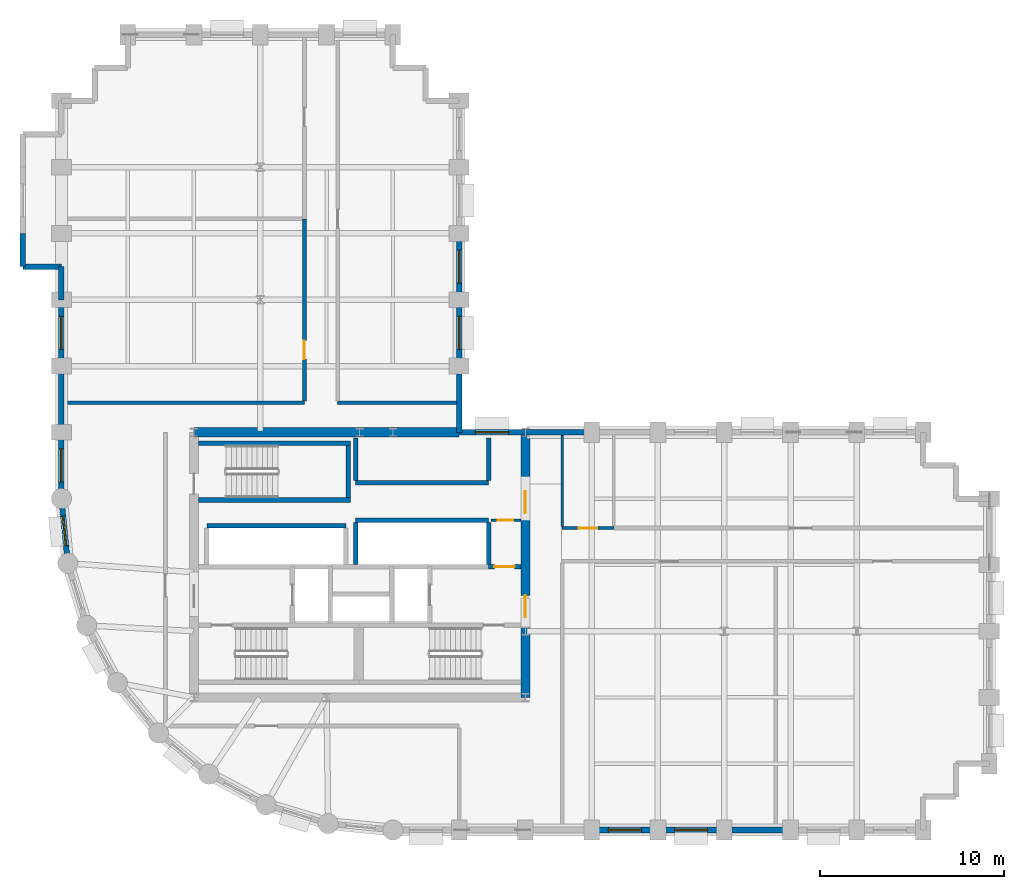
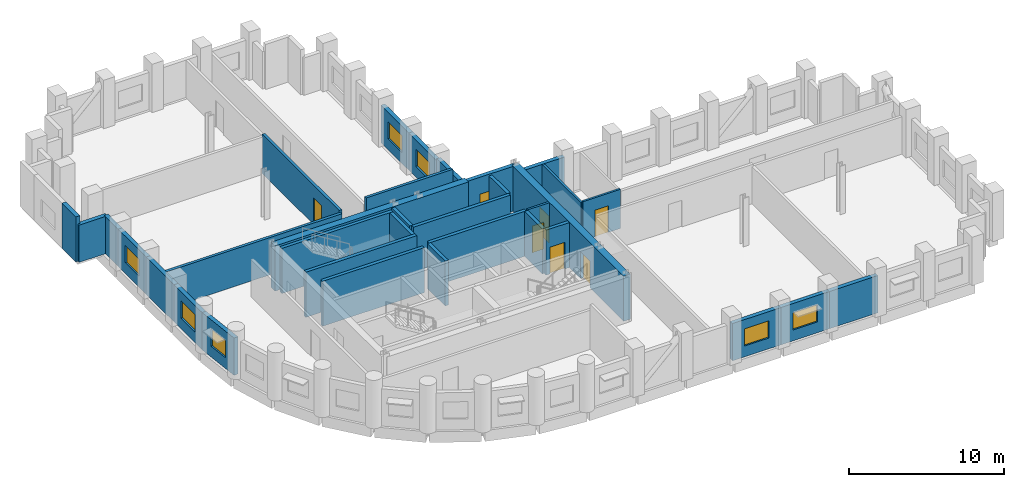
# One storey, part 4 of 8: 34 walls, 8 windows, 6 doors, 14 openings.
"""IFC4 building model written with IfcOpenShell, lengths in metres."""

import ifcopenshell
import ifcopenshell.guid

model = None  # the IFC model being written
_history = None  # IfcOwnerHistory: only IFC2X3 demands one
_inside = {}  # id of a spatial element -> (the spatial element, [elements in it])
_under = {}  # id of a project, library or spatial element -> (it, [spatial elements below it])
_declared = {}  # id of a project -> (the project, [libraries it declares])
_typed = {}  # id of a type object -> (the type object, [elements of that type])
_made_of = {}  # id of a material, layer set ... -> (it, [elements and type objects made of it])


def new_model(schema):
    """Start an empty IFC model of exactly this schema.

    Asked for "IFC4X3", IfcOpenShell would pick the latest addendum, in which some entities
    have other attributes; the version numbers below select the first issue.
    IFC2X3 requires an IfcOwnerHistory on every rooted entity: one is made here for all.
    """
    global model, _history
    if schema == "IFC4X3":
        model = ifcopenshell.file(schema_version=(4, 3, 0, 0))
    else:
        model = ifcopenshell.file(schema=schema)
    _inside.clear()
    _under.clear()
    _declared.clear()
    _typed.clear()
    _made_of.clear()
    _history = None
    if model.schema == "IFC2X3":
        org = make("IfcOrganization", Name="unknown")
        user = make(
            "IfcPersonAndOrganization",
            ThePerson=make("IfcPerson", FamilyName="unknown"),
            TheOrganization=org,
        )
        app = make(
            "IfcApplication",
            ApplicationDeveloper=org,
            Version="unknown",
            ApplicationFullName="unknown",
            ApplicationIdentifier="unknown",
        )
        _history = make(
            "IfcOwnerHistory",
            OwningUser=user,
            OwningApplication=app,
            ChangeAction="ADDED",
            CreationDate=0,
        )
    return model


def make(cls, **values):
    """One entity of the class cls with the attributes given. An attribute that is None is left unset."""
    return model.create_entity(
        cls, **{name: value for name, value in values.items() if value is not None}
    )


def rooted(cls, **values):
    """An entity with a GlobalId (a new one), such as an element, a storey or a relation."""
    return make(cls, GlobalId=ifcopenshell.guid.new(), OwnerHistory=_history, **values)


def si_unit(unit_type, name, prefix=None):
    """IfcSIUnit, for example si_unit("LENGTHUNIT", "METRE", prefix="MILLI")."""
    return make("IfcSIUnit", UnitType=unit_type, Prefix=prefix, Name=name)


def assignment(units):
    """IfcUnitAssignment: the units of a project."""
    return None if units is None else make("IfcUnitAssignment", Units=units)


def point(xyz):
    """IfcCartesianPoint."""
    return None if xyz is None else make("IfcCartesianPoint", Coordinates=xyz)


def direction(xyz):
    """IfcDirection."""
    return None if xyz is None else make("IfcDirection", DirectionRatios=xyz)


def frame(location, z_axis=None, x_axis=None):
    """IfcAxis2Placement3D, a coordinate frame: its origin and axes. An axis left out is left unset."""
    return make(
        "IfcAxis2Placement3D",
        Location=point(location),
        Axis=direction(z_axis),
        RefDirection=direction(x_axis),
    )


def frame_2d(location, x_axis=None):
    """IfcAxis2Placement2D, a coordinate frame in the plane: its origin and x axis."""
    return make(
        "IfcAxis2Placement2D", Location=point(location), RefDirection=direction(x_axis)
    )


def origin():
    """The frame at (0, 0, 0) with its axes left unset."""
    return frame((0.0, 0.0, 0.0))


def place(relative_to, where):
    """IfcLocalPlacement: puts the frame where relative to a parent placement (None: the world)."""
    return make(
        "IfcLocalPlacement", PlacementRelTo=relative_to, RelativePlacement=where
    )


def context(
    kind, dimensions, precision=None, world=None, true_north=None, identifier=None
):
    """IfcGeometricRepresentationContext, for example the 3D "Model" context."""
    return make(
        "IfcGeometricRepresentationContext",
        ContextIdentifier=identifier,
        ContextType=kind,
        CoordinateSpaceDimension=dimensions,
        Precision=precision,
        WorldCoordinateSystem=world,
        TrueNorth=true_north,
    )


def subcontext(parent, identifier, kind, view, scale=None):
    """IfcGeometricRepresentationSubContext, for example "Body" below "Model"."""
    return make(
        "IfcGeometricRepresentationSubContext",
        ContextIdentifier=identifier,
        ContextType=kind,
        ParentContext=parent,
        TargetScale=scale,
        TargetView=view,
    )


def project(units=None, contexts=None):
    """IfcProject with its units and contexts."""
    return rooted(
        "IfcProject",
        Name="project",
        RepresentationContexts=contexts,
        UnitsInContext=assignment(units),
    )


def spatial(cls, under=None, at=None, **own):
    """A site, building, storey or space (cls), placed at a placement, below another one or the project."""
    s = rooted(cls, ObjectPlacement=at, **own)
    if under is not None:
        _under.setdefault(under.id(), (under, []))[1].append(s)
    return s


def profile(cls, at=None, kind="AREA", **sizes):
    """A parametric profile (cls). Its sizes go by their IFC names, for example OverallWidth=200.0."""
    return make(cls, ProfileType=kind, Position=at, **sizes)


def rectangle(**sizes):
    """IfcRectangleProfileDef."""
    return profile("IfcRectangleProfileDef", **sizes)


def extrude(swept, where, along, depth):
    """IfcExtrudedAreaSolid: the profile swept, set in the frame where, extruded along a direction by depth."""
    return make(
        "IfcExtrudedAreaSolid",
        SweptArea=swept,
        Position=where,
        ExtrudedDirection=direction(along),
        Depth=depth,
    )


def shape(context_of_items, identifier, shape_type, items):
    """IfcShapeRepresentation: the items that make up one representation, for example the "Body"."""
    return make(
        "IfcShapeRepresentation",
        ContextOfItems=context_of_items,
        RepresentationIdentifier=identifier,
        RepresentationType=shape_type,
        Items=items,
    )


def material(Name=None, Category=None):
    """IfcMaterial."""
    return make("IfcMaterial", Name=Name, Category=Category)


def layer(
    of_material, thickness, ventilated=None, Name=None, Category=None, Priority=None
):
    """IfcMaterialLayer: one layer of a wall or slab, of a material (None: an air gap)."""
    return make(
        "IfcMaterialLayer",
        Material=of_material,
        LayerThickness=thickness,
        IsVentilated=ventilated,
        Name=Name,
        Category=Category,
        Priority=Priority,
    )


def layer_set(layers, Name=None):
    """IfcMaterialLayerSet."""
    return make("IfcMaterialLayerSet", MaterialLayers=layers, LayerSetName=Name)


def made_of(thing, what):
    """Note that an element or type object is made of a material, layer set ...; save() writes the relation."""
    if what is not None:
        _made_of.setdefault(what.id(), (what, []))[1].append(thing)
    return thing


def type_object(cls, material=None, **own):
    """A type object (cls), such as IfcWallType, which elements share."""
    return made_of(rooted(cls, **own), material)


def element(
    cls,
    number,
    at=None,
    inside=None,
    cuts=None,
    type_object=None,
    material=None,
    context=None,
    identifier="Body",
    shape_type=None,
    held_by="IfcProductDefinitionShape",
    body=None,
    shapes=None,
    **own,
):
    """One element of the class cls, such as IfcWall. Its Tag is "e" and its number.

    at: its placement. inside: the storey or other place that contains it. cuts: it is an
    opening in that element (IfcRelVoidsElement). A single representation is given by context,
    identifier, shape_type and body (its items); several are given by shapes. held_by: the class
    of the entity that holds the representations. save() writes the other relations.
    """
    e = rooted(cls, Tag="e%d" % number, ObjectPlacement=at, **own)
    if body is not None:
        shapes = [shape(context, identifier, shape_type, body)]
    if shapes is not None:
        e.Representation = make(held_by, Representations=shapes)
    if inside is not None:
        _inside.setdefault(inside.id(), (inside, []))[1].append(e)
    if cuts is not None:
        rooted(
            "IfcRelVoidsElement", RelatingBuildingElement=cuts, RelatedOpeningElement=e
        )
    if type_object is not None:
        _typed.setdefault(type_object.id(), (type_object, []))[1].append(e)
    return made_of(e, material)


def fill(opening, filler):
    """IfcRelFillsElement: the door or window that sits in an opening."""
    return rooted(
        "IfcRelFillsElement",
        RelatingOpeningElement=opening,
        RelatedBuildingElement=filler,
    )


def aggregate(whole, parts):
    """IfcRelAggregates: a whole, such as a stair, and the parts it consists of."""
    return rooted("IfcRelAggregates", RelatingObject=whole, RelatedObjects=parts)


def save(model, path):
    """Write the relations noted so far, then the file.

    IfcRelAggregates (storeys below a building ...), IfcRelContainedInSpatialStructure (elements
    in a storey), IfcRelDefinesByType, IfcRelAssociatesMaterial and IfcRelDeclares: one each for
    every whole, place, type object, material and project.
    """
    for whole, parts in _under.values():
        aggregate(whole, parts)
    for where, things in _inside.values():
        rooted(
            "IfcRelContainedInSpatialStructure",
            RelatedElements=things,
            RelatingStructure=where,
        )
    for kind, things in _typed.values():
        rooted("IfcRelDefinesByType", RelatedObjects=things, RelatingType=kind)
    for what, things in _made_of.values():
        rooted("IfcRelAssociatesMaterial", RelatedObjects=things, RelatingMaterial=what)
    for by, libraries in _declared.values():
        rooted("IfcRelDeclares", RelatingContext=by, RelatedDefinitions=libraries)
    model.write(path)


model = new_model("IFC4")

# Units and contexts
model_context = context("Model", 3, precision=1e-05, world=origin(), true_north=direction((0.0, 1.0)))
body_context = subcontext(model_context, "Body", "Model", "MODEL_VIEW")
ifc_project = project(units=[si_unit("LENGTHUNIT", "METRE"), si_unit("AREAUNIT", "SQUARE_METRE"), si_unit("VOLUMEUNIT", "CUBIC_METRE"), si_unit("PLANEANGLEUNIT", "RADIAN"), si_unit("MASSUNIT", "GRAM", prefix="KILO")], contexts=[model_context])

# Site, building, storey
site_placement = place(None, origin())
site = spatial("IfcSite", under=ifc_project, at=site_placement, CompositionType="ELEMENT")
building_placement = place(site_placement, origin())
building = spatial("IfcBuilding", under=site, at=building_placement, Name="Solnavia Interchange Tower", CompositionType="ELEMENT")
storey_placement = place(building_placement, frame((0.0, 0.0, 120.0)))
storey = spatial("IfcBuildingStorey", under=building, at=storey_placement, Name="L29", CompositionType="ELEMENT", Elevation=120.0)

# Wall, opening, window
ifc_material_1 = material(Name="Concrete C40/50", Category="concrete")
ifc_layer_1 = layer(ifc_material_1, 0.300048828125)
ifc_layer_set_1 = layer_set([ifc_layer_1], Name="Concrete C40/50")
wall_type_1 = type_object("IfcWallType", Name="Wall-ExtSpandrel-300", PredefinedType="STANDARD", material=ifc_layer_set_1)
wall_1_placement = place(storey_placement, frame((39.60009765625, 3.60009765625, 0.0), z_axis=(0.0, 0.0, 1.0), x_axis=(-1.0, 0.0, 0.0)))
wall_1 = element("IfcWall", 1, at=wall_1_placement, inside=storey, type_object=wall_type_1, Name="EXW-L29-04 Exterior precast spandrel wall", PredefinedType="STANDARD", context=body_context, shape_type="SweptSolid", body=[
    extrude(rectangle(XDim=3.60009765625, YDim=0.300048828125, at=frame_2d((1.800048828125, 0.0))), origin(), (0.0, 0.0, 1.0), 2.929931640625),
])
opening_1_placement = place(wall_1_placement, frame((0.89990234375, 0.0, 0.85009765625)))
opening_1 = element("IfcOpeningElement", 2, at=opening_1_placement, cuts=wall_1, Name="Opening WIN-02", PredefinedType="OPENING", context=body_context, shape_type="SweptSolid", body=[
    extrude(rectangle(XDim=1.800048828125, YDim=1.35009765625, at=frame_2d((0.89990234375, 0.675048828125))), frame((0.0, 0.16015625, 0.0), z_axis=(0.0, -1.0, 0.0), x_axis=(1.0, 0.0, 0.0)), (0.0, 0.0, 1.0), 0.320068359375),
])
ifc_material_2 = material(Name="Thermal-Break Aluminium & Low-E Glass", Category="aluminium")
window_type_1 = type_object("IfcWindowType", Name="Window-Ribbon-1800x1350", PartitioningType="SINGLE_PANEL", PredefinedType="WINDOW", material=ifc_material_2)
window_1_placement = place(opening_1_placement, origin())
window_1 = element("IfcWindow", 3, at=window_1_placement, inside=storey, type_object=window_type_1, Name="WIN-L29-04 Facade ribbon window", OverallHeight=1.35009765625, OverallWidth=1.800048828125, PartitioningType="SINGLE_PANEL", PredefinedType="WINDOW", context=body_context, shape_type="SweptSolid", body=[
    extrude(rectangle(XDim=1.800048828125, YDim=1.35009765625, at=frame_2d((0.89990234375, 0.675048828125))), frame((0.0, 0.030029296875, 0.0), z_axis=(0.0, -1.0, 0.0), x_axis=(1.0, 0.0, 0.0)), (0.0, 0.0, 1.0), 0.06005859375),
])
fill(opening_1, window_1)

wall_2_placement = place(storey_placement, frame((43.199951171875, 3.60009765625, 0.0), z_axis=(0.0, 0.0, 1.0), x_axis=(-1.0, 0.0, 0.0)))
wall_2 = element("IfcWall", 4, at=wall_2_placement, inside=storey, type_object=wall_type_1, Name="EXW-L29-05 Exterior precast spandrel wall", PredefinedType="STANDARD", context=body_context, shape_type="SweptSolid", body=[
    extrude(rectangle(XDim=3.599853515625, YDim=0.300048828125, at=frame_2d((1.7998046875, 0.0))), origin(), (0.0, 0.0, 1.0), 2.929931640625),
])
opening_2_placement = place(wall_2_placement, frame((0.89990234375, 0.0, 0.85009765625)))
opening_2 = element("IfcOpeningElement", 5, at=opening_2_placement, cuts=wall_2, Name="Opening WIN-02", PredefinedType="OPENING", context=body_context, shape_type="SweptSolid", body=[
    extrude(rectangle(XDim=1.800048828125, YDim=1.35009765625, at=frame_2d((0.89990234375, 0.675048828125))), frame((0.0, 0.16015625, 0.0), z_axis=(0.0, -1.0, 0.0), x_axis=(1.0, 0.0, 0.0)), (0.0, 0.0, 1.0), 0.320068359375),
])
window_2_placement = place(opening_2_placement, origin())
window_2 = element("IfcWindow", 6, at=window_2_placement, inside=storey, type_object=window_type_1, Name="WIN-L29-05 Facade ribbon window", OverallHeight=1.35009765625, OverallWidth=1.800048828125, PartitioningType="SINGLE_PANEL", PredefinedType="WINDOW", context=body_context, shape_type="SweptSolid", body=[
    extrude(rectangle(XDim=1.800048828125, YDim=1.35009765625, at=frame_2d((0.89990234375, 0.675048828125))), frame((0.0, 0.030029296875, 0.0), z_axis=(0.0, -1.0, 0.0), x_axis=(1.0, 0.0, 0.0)), (0.0, 0.0, 1.0), 0.06005859375),
])
fill(opening_2, window_2)

# Walls
for number, where, z_axis, x_axis, name in (
    (7, (46.800048828125, 3.60009765625, 0.0), (0.0, 0.0, 1.0), (-1.0, 0.0, 0.0), "EXW-L29-06 Exterior precast spandrel wall"),
    (8, (32.39990234375, 25.199951171875, 0.0), (0.0, 0.0, 1.0), (1.0, 0.0, 0.0), "EXW-L29-26 Exterior precast spandrel wall"),
):
    element("IfcWall", number, at=place(storey_placement, frame(where, z_axis=z_axis, x_axis=x_axis)), inside=storey, type_object=wall_type_1, Name=name, PredefinedType="STANDARD", context=body_context, shape_type="SweptSolid", body=[
        extrude(rectangle(XDim=3.60009765625, YDim=0.300048828125, at=frame_2d((1.800048828125, 0.0))), origin(), (0.0, 0.0, 1.0), 2.929931640625),
    ])

# Wall, opening, window
wall_3_placement = place(storey_placement, frame((28.800048828125, 25.199951171875, 0.0), z_axis=(0.0, 0.0, 1.0), x_axis=(1.0, 0.0, 0.0)))
wall_3 = element("IfcWall", 9, at=wall_3_placement, inside=storey, type_object=wall_type_1, Name="EXW-L29-27 Exterior precast spandrel wall", PredefinedType="STANDARD", context=body_context, shape_type="SweptSolid", body=[
    extrude(rectangle(XDim=3.599853515625, YDim=0.300048828125, at=frame_2d((1.7998046875, 0.0))), origin(), (0.0, 0.0, 1.0), 3.534912109375),
])
opening_3_placement = place(wall_3_placement, frame((0.884033203125, 0.0, 0.85009765625)))
opening_3 = element("IfcOpeningElement", 10, at=opening_3_placement, cuts=wall_3, Name="Opening WIN-02", PredefinedType="OPENING", context=body_context, shape_type="SweptSolid", body=[
    extrude(rectangle(XDim=1.800048828125, YDim=1.35009765625, at=frame_2d((0.89990234375, 0.675048828125))), frame((0.0, 0.16015625, 0.0), z_axis=(0.0, -1.0, 0.0), x_axis=(1.0, 0.0, 0.0)), (0.0, 0.0, 1.0), 0.320068359375),
])
window_3_placement = place(opening_3_placement, origin())
window_3 = element("IfcWindow", 11, at=window_3_placement, inside=storey, type_object=window_type_1, Name="WIN-L29-27 Facade ribbon window", OverallHeight=1.35009765625, OverallWidth=1.800048828125, PartitioningType="SINGLE_PANEL", PredefinedType="WINDOW", context=body_context, shape_type="SweptSolid", body=[
    extrude(rectangle(XDim=1.800048828125, YDim=1.35009765625, at=frame_2d((0.89990234375, 0.675048828125))), frame((0.0, 0.030029296875, 0.0), z_axis=(0.0, -1.0, 0.0), x_axis=(1.0, 0.0, 0.0)), (0.0, 0.0, 1.0), 0.06005859375),
])
fill(opening_3, window_3)

# Wall
wall_4_placement = place(storey_placement, frame((28.800048828125, 28.800048828125, 0.0), z_axis=(0.0, 0.0, 1.0), x_axis=(0.0, -1.0, 0.0)))
element("IfcWall", 12, at=wall_4_placement, inside=storey, type_object=wall_type_1, Name="EXW-L29-28 Exterior precast spandrel wall", PredefinedType="STANDARD", context=body_context, shape_type="SweptSolid", body=[
    extrude(rectangle(XDim=3.60009765625, YDim=0.300048828125, at=frame_2d((1.800048828125, 0.0))), origin(), (0.0, 0.0, 1.0), 3.090087890625),
])

# Wall, opening, window
wall_5_placement = place(storey_placement, frame((28.800048828125, 32.39990234375, 0.0), z_axis=(0.0, 0.0, 1.0), x_axis=(0.0, -1.0, 0.0)))
wall_5 = element("IfcWall", 13, at=wall_5_placement, inside=storey, type_object=wall_type_1, Name="EXW-L29-29 Exterior precast spandrel wall", PredefinedType="STANDARD", context=body_context, shape_type="SweptSolid", body=[
    extrude(rectangle(XDim=3.599853515625, YDim=0.300048828125, at=frame_2d((1.7998046875, 0.0))), origin(), (0.0, 0.0, 1.0), 2.929931640625),
])
opening_4_placement = place(wall_5_placement, frame((0.89990234375, 0.0, 0.85009765625)))
opening_4 = element("IfcOpeningElement", 14, at=opening_4_placement, cuts=wall_5, Name="Opening WIN-02", PredefinedType="OPENING", context=body_context, shape_type="SweptSolid", body=[
    extrude(rectangle(XDim=1.800048828125, YDim=1.35009765625, at=frame_2d((0.89990234375, 0.675048828125))), frame((0.0, 0.16015625, 0.0), z_axis=(0.0, -1.0, 0.0), x_axis=(1.0, 0.0, 0.0)), (0.0, 0.0, 1.0), 0.320068359375),
])
window_4_placement = place(opening_4_placement, origin())
window_4 = element("IfcWindow", 15, at=window_4_placement, inside=storey, type_object=window_type_1, Name="WIN-L29-29 Facade ribbon window", OverallHeight=1.35009765625, OverallWidth=1.800048828125, PartitioningType="SINGLE_PANEL", PredefinedType="WINDOW", context=body_context, shape_type="SweptSolid", body=[
    extrude(rectangle(XDim=1.800048828125, YDim=1.35009765625, at=frame_2d((0.89990234375, 0.675048828125))), frame((0.0, 0.030029296875, 0.0), z_axis=(0.0, -1.0, 0.0), x_axis=(1.0, 0.0, 0.0)), (0.0, 0.0, 1.0), 0.06005859375),
])
fill(opening_4, window_4)

wall_6_placement = place(storey_placement, frame((28.800048828125, 36.0, 0.0), z_axis=(0.0, 0.0, 1.0), x_axis=(0.0, -1.0, 0.0)))
wall_6 = element("IfcWall", 16, at=wall_6_placement, inside=storey, type_object=wall_type_1, Name="EXW-L29-30 Exterior precast spandrel wall", PredefinedType="STANDARD", context=body_context, shape_type="SweptSolid", body=[
    extrude(rectangle(XDim=3.60009765625, YDim=0.300048828125, at=frame_2d((1.800048828125, 0.0))), origin(), (0.0, 0.0, 1.0), 2.929931640625),
])
opening_5_placement = place(wall_6_placement, frame((0.89990234375, 0.0, 0.85009765625)))
opening_5 = element("IfcOpeningElement", 17, at=opening_5_placement, cuts=wall_6, Name="Opening WIN-02", PredefinedType="OPENING", context=body_context, shape_type="SweptSolid", body=[
    extrude(rectangle(XDim=1.800048828125, YDim=1.35009765625, at=frame_2d((0.89990234375, 0.675048828125))), frame((0.0, 0.16015625, 0.0), z_axis=(0.0, -1.0, 0.0), x_axis=(1.0, 0.0, 0.0)), (0.0, 0.0, 1.0), 0.320068359375),
])
window_5_placement = place(opening_5_placement, origin())
window_5 = element("IfcWindow", 18, at=window_5_placement, inside=storey, type_object=window_type_1, Name="WIN-L29-30 Facade ribbon window", OverallHeight=1.35009765625, OverallWidth=1.800048828125, PartitioningType="SINGLE_PANEL", PredefinedType="WINDOW", context=body_context, shape_type="SweptSolid", body=[
    extrude(rectangle(XDim=1.800048828125, YDim=1.35009765625, at=frame_2d((0.89990234375, 0.675048828125))), frame((0.0, 0.030029296875, 0.0), z_axis=(0.0, -1.0, 0.0), x_axis=(1.0, 0.0, 0.0)), (0.0, 0.0, 1.0), 0.06005859375),
])
fill(opening_5, window_5)

# Walls
wall_7_placement = place(storey_placement, frame((5.10009765625, 34.199951171875, 0.0), z_axis=(0.0, 0.0, 1.0), x_axis=(0.0, 1.0, 0.0)))
element("IfcWall", 19, at=wall_7_placement, inside=storey, type_object=wall_type_1, Name="EXW-L29-49 Exterior precast spandrel wall", PredefinedType="STANDARD", context=body_context, shape_type="SweptSolid", body=[
    extrude(rectangle(XDim=1.800048828125, YDim=0.300048828125, at=frame_2d((0.89990234375, 0.0))), origin(), (0.0, 0.0, 1.0), 3.534912109375),
])
wall_8_placement = place(storey_placement, frame((5.10009765625, 34.199951171875, 0.0), z_axis=(0.0, 0.0, 1.0), x_axis=(1.0, 0.0, 0.0)))
element("IfcWall", 20, at=wall_8_placement, inside=storey, type_object=wall_type_1, Name="EXW-L29-50 Exterior precast spandrel wall", PredefinedType="STANDARD", context=body_context, shape_type="SweptSolid", body=[
    extrude(rectangle(XDim=2.099853515625, YDim=0.300048828125, at=frame_2d((1.0498046875, 0.0))), origin(), (0.0, 0.0, 1.0), 2.929931640625),
])
wall_9_placement = place(storey_placement, frame((7.199951171875, 32.39990234375, 0.0), z_axis=(0.0, 0.0, 1.0), x_axis=(0.0, 1.0, 0.0)))
element("IfcWall", 21, at=wall_9_placement, inside=storey, type_object=wall_type_1, Name="EXW-L29-51 Exterior precast spandrel wall", PredefinedType="STANDARD", context=body_context, shape_type="SweptSolid", body=[
    extrude(rectangle(XDim=1.800048828125, YDim=0.300048828125, at=frame_2d((0.89990234375, 0.0))), origin(), (0.0, 0.0, 1.0), 2.929931640625),
])

# Wall, opening, window
wall_10_placement = place(storey_placement, frame((7.199951171875, 28.800048828125, 0.0), z_axis=(0.0, 0.0, 1.0), x_axis=(0.0, 1.0, 0.0)))
wall_10 = element("IfcWall", 22, at=wall_10_placement, inside=storey, type_object=wall_type_1, Name="EXW-L29-52 Exterior precast spandrel wall", PredefinedType="STANDARD", context=body_context, shape_type="SweptSolid", body=[
    extrude(rectangle(XDim=3.599853515625, YDim=0.300048828125, at=frame_2d((1.7998046875, 0.0))), origin(), (0.0, 0.0, 1.0), 2.929931640625),
])
opening_6_placement = place(wall_10_placement, frame((0.89990234375, 0.0, 0.85009765625)))
opening_6 = element("IfcOpeningElement", 23, at=opening_6_placement, cuts=wall_10, Name="Opening WIN-02", PredefinedType="OPENING", context=body_context, shape_type="SweptSolid", body=[
    extrude(rectangle(XDim=1.800048828125, YDim=1.35009765625, at=frame_2d((0.89990234375, 0.675048828125))), frame((0.0, 0.16015625, 0.0), z_axis=(0.0, -1.0, 0.0), x_axis=(1.0, 0.0, 0.0)), (0.0, 0.0, 1.0), 0.320068359375),
])
window_6_placement = place(opening_6_placement, origin())
window_6 = element("IfcWindow", 24, at=window_6_placement, inside=storey, type_object=window_type_1, Name="WIN-L29-52 Facade ribbon window", OverallHeight=1.35009765625, OverallWidth=1.800048828125, PartitioningType="SINGLE_PANEL", PredefinedType="WINDOW", context=body_context, shape_type="SweptSolid", body=[
    extrude(rectangle(XDim=1.800048828125, YDim=1.35009765625, at=frame_2d((0.89990234375, 0.675048828125))), frame((0.0, 0.030029296875, 0.0), z_axis=(0.0, -1.0, 0.0), x_axis=(1.0, 0.0, 0.0)), (0.0, 0.0, 1.0), 0.06005859375),
])
fill(opening_6, window_6)

# Wall
wall_11_placement = place(storey_placement, frame((7.199951171875, 25.199951171875, 0.0), z_axis=(0.0, 0.0, 1.0), x_axis=(0.0, 1.0, 0.0)))
element("IfcWall", 25, at=wall_11_placement, inside=storey, type_object=wall_type_1, Name="EXW-L29-53 Exterior precast spandrel wall", PredefinedType="STANDARD", context=body_context, shape_type="SweptSolid", body=[
    extrude(rectangle(XDim=3.60009765625, YDim=0.300048828125, at=frame_2d((1.800048828125, 0.0))), origin(), (0.0, 0.0, 1.0), 2.929931640625),
])

# Wall, opening, window
wall_12_placement = place(storey_placement, frame((7.199951171875, 21.60009765625, 0.0), z_axis=(0.0, 0.0, 1.0), x_axis=(0.0, 1.0, 0.0)))
wall_12 = element("IfcWall", 26, at=wall_12_placement, inside=storey, type_object=wall_type_1, Name="EXW-L29-54 Exterior precast spandrel wall", PredefinedType="STANDARD", context=body_context, shape_type="SweptSolid", body=[
    extrude(rectangle(XDim=3.599853515625, YDim=0.300048828125, at=frame_2d((1.7998046875, 0.0))), origin(), (0.0, 0.0, 1.0), 2.929931640625),
])
opening_7_placement = place(wall_12_placement, frame((0.89990234375, 0.0, 0.85009765625)))
opening_7 = element("IfcOpeningElement", 27, at=opening_7_placement, cuts=wall_12, Name="Opening WIN-02", PredefinedType="OPENING", context=body_context, shape_type="SweptSolid", body=[
    extrude(rectangle(XDim=1.800048828125, YDim=1.35009765625, at=frame_2d((0.89990234375, 0.675048828125))), frame((0.0, 0.16015625, 0.0), z_axis=(0.0, -1.0, 0.0), x_axis=(1.0, 0.0, 0.0)), (0.0, 0.0, 1.0), 0.320068359375),
])
window_7_placement = place(opening_7_placement, origin())
window_7 = element("IfcWindow", 28, at=window_7_placement, inside=storey, type_object=window_type_1, Name="WIN-L29-54 Facade ribbon window", OverallHeight=1.35009765625, OverallWidth=1.800048828125, PartitioningType="SINGLE_PANEL", PredefinedType="WINDOW", context=body_context, shape_type="SweptSolid", body=[
    extrude(rectangle(XDim=1.800048828125, YDim=1.35009765625, at=frame_2d((0.89990234375, 0.675048828125))), frame((0.0, 0.030029296875, 0.0), z_axis=(0.0, -1.0, 0.0), x_axis=(1.0, 0.0, 0.0)), (0.0, 0.0, 1.0), 0.06005859375),
])
fill(opening_7, window_7)

wall_13_placement = place(storey_placement, frame((7.5458984375, 18.087890625, 0.0), z_axis=(0.0, 0.0, 1.0), x_axis=(-0.09802417461, 0.995184033831, 0.0)))
wall_13 = element("IfcWall", 29, at=wall_13_placement, inside=storey, type_object=wall_type_1, Name="EXW-L29-55 Exterior precast spandrel wall", PredefinedType="STANDARD", context=body_context, shape_type="SweptSolid", body=[
    extrude(rectangle(XDim=3.529296875, YDim=0.300048828125, at=frame_2d((1.7646484375, 0.0))), origin(), (0.0, 0.0, 1.0), 2.929931640625),
])
opening_8_placement = place(wall_13_placement, frame((0.965087890625, 0.0, 0.85009765625)))
opening_8 = element("IfcOpeningElement", 30, at=opening_8_placement, cuts=wall_13, Name="Opening WIN-04", PredefinedType="OPENING", context=body_context, shape_type="SweptSolid", body=[
    extrude(rectangle(XDim=1.60009765625, YDim=1.35009765625, at=frame_2d((0.800048828125, 0.675048828125))), frame((0.0, 0.16015625, 0.0), z_axis=(0.0, -1.0, 0.0), x_axis=(1.0, 0.0, 0.0)), (0.0, 0.0, 1.0), 0.320068359375),
])
window_type_2 = type_object("IfcWindowType", Name="Window-Drum-1600x1350", PartitioningType="SINGLE_PANEL", PredefinedType="WINDOW", material=ifc_material_2)
window_8_placement = place(opening_8_placement, origin())
window_8 = element("IfcWindow", 31, at=window_8_placement, inside=storey, type_object=window_type_2, Name="WIN-L29-55 Facade ribbon window", OverallHeight=1.35009765625, OverallWidth=1.60009765625, PartitioningType="SINGLE_PANEL", PredefinedType="WINDOW", context=body_context, shape_type="SweptSolid", body=[
    extrude(rectangle(XDim=1.60009765625, YDim=1.35009765625, at=frame_2d((0.800048828125, 0.675048828125))), frame((0.0, 0.030029296875, 0.0), z_axis=(0.0, -1.0, 0.0), x_axis=(1.0, 0.0, 0.0)), (0.0, 0.0, 1.0), 0.06005859375),
])
fill(opening_8, window_8)

# Wall, opening, door
ifc_material_3 = material(Name="Gypsum Plasterboard & Steel Stud", Category="steel")
ifc_layer_2 = layer(ifc_material_3, 0.14990234375)
ifc_layer_set_2 = layer_set([ifc_layer_2], Name="Gypsum Plasterboard & Steel Stud")
wall_type_2 = type_object("IfcWallType", Name="Wall-Partition-150", PredefinedType="PARTITIONING", material=ifc_layer_set_2)
wall_14_placement = place(storey_placement, frame((30.52001953125, 20.419921875, 0.0), z_axis=(0.0, 0.0, 1.0), x_axis=(1.0, 0.0, 0.0)))
wall_14 = element("IfcWall", 32, at=wall_14_placement, inside=storey, type_object=wall_type_2, Name="CSW-L29-SE-N Core shaft wall", PredefinedType="PARTITIONING", context=body_context, shape_type="SweptSolid", body=[
    extrude(rectangle(XDim=1.6298828125, YDim=0.14990234375, at=frame_2d((0.81494140625, 0.0))), origin(), (0.0, 0.0, 1.0), 3.534912109375),
])
opening_9_placement = place(wall_14_placement, frame((0.3798828125, 0.0, 0.0)))
opening_9 = element("IfcOpeningElement", 33, at=opening_9_placement, cuts=wall_14, Name="Opening DR-10", PredefinedType="OPENING", context=body_context, shape_type="SweptSolid", body=[
    extrude(rectangle(XDim=0.85009765625, YDim=2.10009765625, at=frame_2d((0.425048828125, 1.050048828125))), frame((0.0, 0.0849609375, 0.0), z_axis=(0.0, -1.0, 0.0), x_axis=(1.0, 0.0, 0.0)), (0.0, 0.0, 1.0), 0.169921875),
])
ifc_material_4 = material(Name="Moisture-Resistant Timber Door", Category="wood")
door_type_1 = type_object("IfcDoorType", Name="Door-Bathroom-850x2100", OperationType="SINGLE_SWING_RIGHT", PredefinedType="DOOR", material=ifc_material_4)
door_1_placement = place(opening_9_placement, origin())
door_1 = element("IfcDoor", 34, at=door_1_placement, inside=storey, type_object=door_type_1, Name="DR-L29-CSE1 Core fire door", OperationType="SINGLE_SWING_LEFT", OverallHeight=2.10009765625, OverallWidth=0.85009765625, PredefinedType="DOOR", context=body_context, shape_type="SweptSolid", body=[
    extrude(rectangle(XDim=0.85009765625, YDim=2.10009765625, at=frame_2d((0.425048828125, 1.050048828125))), frame((0.0, 0.02490234375, 0.0), z_axis=(0.0, -1.0, 0.0), x_axis=(1.0, 0.0, 0.0)), (0.0, 0.0, 1.0), 0.050048828125),
])
fill(opening_9, door_1)

# Walls
ifc_layer_3 = layer(ifc_material_1, 0.199951171875)
ifc_layer_set_3 = layer_set([ifc_layer_3], Name="Concrete C40/50")
wall_type_3 = type_object("IfcWallType", Name="Wall-PlantFire-200", PredefinedType="PARTITIONING", material=ifc_layer_set_3)
wall_15_placement = place(storey_placement, frame((7.35400390625, 26.800048828125, 0.0), z_axis=(0.0, 0.0, 1.0), x_axis=(1.0, 0.0, 0.0)))
element("IfcWall", 35, at=wall_15_placement, inside=storey, type_object=wall_type_3, Name="PTW-L29-13 Interior partition wall", PredefinedType="PARTITIONING", context=body_context, shape_type="SweptSolid", body=[
    extrude(rectangle(XDim=13.0458984375, YDim=0.199951171875, at=frame_2d((6.52294921875, 0.0))), origin(), (0.0, 0.0, 1.0), 2.929931640625),
])
wall_16_placement = place(storey_placement, frame((22.199951171875, 26.800048828125, 0.0), z_axis=(0.0, 0.0, 1.0), x_axis=(1.0, 0.0, 0.0)))
element("IfcWall", 36, at=wall_16_placement, inside=storey, type_object=wall_type_3, Name="PTW-L29-14 Interior partition wall", PredefinedType="PARTITIONING", context=body_context, shape_type="SweptSolid", body=[
    extrude(rectangle(XDim=6.446044921875, YDim=0.199951171875, at=frame_2d((3.22314453125, 0.0))), origin(), (0.0, 0.0, 1.0), 3.534912109375),
])

# Wall, opening, door
wall_17_placement = place(storey_placement, frame((20.39990234375, 26.904052734375, 0.0), z_axis=(0.0, 0.0, 1.0), x_axis=(0.0, 1.0, 0.0)))
wall_17 = element("IfcWall", 37, at=wall_17_placement, inside=storey, type_object=wall_type_3, Name="PTW-L29-15 Interior partition wall", PredefinedType="PARTITIONING", context=body_context, shape_type="SweptSolid", body=[
    extrude(rectangle(XDim=9.89599609375, YDim=0.199951171875, at=frame_2d((4.947998046875, 0.0))), origin(), (0.0, 0.0, 1.0), 3.090087890625),
])
opening_10_placement = place(wall_17_placement, frame((2.27587890625, 0.0, 0.0)))
opening_10 = element("IfcOpeningElement", 38, at=opening_10_placement, cuts=wall_17, Name="Opening DR-04", PredefinedType="OPENING", context=body_context, shape_type="SweptSolid", body=[
    extrude(rectangle(XDim=1.0, YDim=2.10009765625, at=frame_2d((0.5, 1.050048828125))), frame((0.0, 0.10986328125, 0.0), z_axis=(0.0, -1.0, 0.0), x_axis=(1.0, 0.0, 0.0)), (0.0, 0.0, 1.0), 0.219970703125),
])
ifc_material_5 = material(Name="Steel Fire-Rated Plant Door", Category="steel")
door_type_2 = type_object("IfcDoorType", Name="Door-PlantFire-1000x2100", OperationType="SINGLE_SWING_LEFT", PredefinedType="DOOR", material=ifc_material_5)
door_2_placement = place(opening_10_placement, origin())
door_2 = element("IfcDoor", 39, at=door_2_placement, inside=storey, type_object=door_type_2, Name="DR-L29-07 Interior room door", OperationType="SINGLE_SWING_LEFT", OverallHeight=2.10009765625, OverallWidth=1.0, PredefinedType="DOOR", context=body_context, shape_type="SweptSolid", body=[
    extrude(rectangle(XDim=1.0, YDim=2.10009765625, at=frame_2d((0.5, 1.050048828125))), frame((0.0, 0.02490234375, 0.0), z_axis=(0.0, -1.0, 0.0), x_axis=(1.0, 0.0, 0.0)), (0.0, 0.0, 1.0), 0.050048828125),
])
fill(opening_10, door_2)

# Walls
ifc_layer_4 = layer(ifc_material_1, 0.25)
ifc_layer_set_4 = layer_set([ifc_layer_4], Name="Concrete C40/50")
wall_type_4 = type_object("IfcWallType", Name="Wall-ShaftCore-250", PredefinedType="SHEAR", material=ifc_layer_set_4)
for number, where, z_axis, x_axis, name in (
    (40, (14.64990234375, 21.52490234375, 0.0), (0.0, 0.0, 1.0), (1.0, 0.0, 0.0), "SHW-L29-ST3S Core shear wall"),
    (41, (14.64990234375, 24.614990234375, 0.0), (0.0, 0.0, 1.0), (1.0, 0.0, 0.0), "SHW-L29-ST3N Core shear wall"),
):
    element("IfcWall", number, at=place(storey_placement, frame(where, z_axis=z_axis, x_axis=x_axis)), inside=storey, type_object=wall_type_4, Name=name, PredefinedType="SHEAR", context=body_context, shape_type="SweptSolid", body=[
        extrude(rectangle(XDim=8.25, YDim=0.25, at=frame_2d((4.125, 0.0))), origin(), (0.0, 0.0, 1.0), 3.550048828125),
    ])
wall_18_placement = place(storey_placement, frame((22.77490234375, 21.64990234375, 0.0), z_axis=(0.0, 0.0, 1.0), x_axis=(0.0, 1.0, 0.0)))
element("IfcWall", 42, at=wall_18_placement, inside=storey, type_object=wall_type_4, Name="SHW-L29-ST3E Core shear wall", PredefinedType="SHEAR", context=body_context, shape_type="SweptSolid", body=[
    extrude(rectangle(XDim=2.840087890625, YDim=0.25, at=frame_2d((1.419921875, 0.0))), origin(), (0.0, 0.0, 1.0), 3.550048828125),
])

# Wall, opening, door
ifc_layer_5 = layer(ifc_material_1, 0.25)
ifc_layer_set_5 = layer_set([ifc_layer_5], Name="Concrete C40/50")
wall_type_5 = type_object("IfcWallType", Name="Wall-ShaftPart-250", PredefinedType="PARTITIONING", material=ifc_layer_set_5)
wall_19_placement = place(storey_placement, frame((30.39990234375, 17.89990234375, 0.0), z_axis=(0.0, 0.0, 1.0), x_axis=(1.0, 0.0, 0.0)))
wall_19 = element("IfcWall", 43, at=wall_19_placement, inside=storey, type_object=wall_type_5, Name="SHW-L29-FFLE-N2 Core shaft wall", PredefinedType="PARTITIONING", context=body_context, shape_type="SweptSolid", body=[
    extrude(rectangle(XDim=1.75, YDim=0.25, at=frame_2d((0.875, 0.0))), origin(), (0.0, 0.0, 1.0), 3.534912109375),
])
opening_11_placement = place(wall_19_placement, frame((0.320068359375, 0.0, 0.0)))
opening_11 = element("IfcOpeningElement", 44, at=opening_11_placement, cuts=wall_19, Name="Opening DR-01", PredefinedType="OPENING", context=body_context, shape_type="SweptSolid", body=[
    extrude(rectangle(XDim=1.10009765625, YDim=2.10009765625, at=frame_2d((0.550048828125, 1.050048828125))), frame((0.0, 0.135009765625, 0.0), z_axis=(0.0, -1.0, 0.0), x_axis=(1.0, 0.0, 0.0)), (0.0, 0.0, 1.0), 0.27001953125),
])
ifc_material_6 = material(Name="Steel Fire-Rated Leaf & Frame", Category="steel")
door_type_3 = type_object("IfcDoorType", Name="Door-StairFire-1100x2100", OperationType="SINGLE_SWING_LEFT", PredefinedType="DOOR", material=ifc_material_6)
door_3_placement = place(opening_11_placement, origin())
door_3 = element("IfcDoor", 45, at=door_3_placement, inside=storey, type_object=door_type_3, Name="DR-L29-LLC Core fire door", OperationType="SINGLE_SWING_LEFT", OverallHeight=2.10009765625, OverallWidth=1.10009765625, PredefinedType="DOOR", context=body_context, shape_type="SweptSolid", body=[
    extrude(rectangle(XDim=1.10009765625, YDim=2.10009765625, at=frame_2d((0.550048828125, 1.050048828125))), frame((0.0, 0.02490234375, 0.0), z_axis=(0.0, -1.0, 0.0), x_axis=(1.0, 0.0, 0.0)), (0.0, 0.0, 1.0), 0.050048828125),
])
fill(opening_11, door_3)

# Walls
wall_20_placement = place(storey_placement, frame((15.10009765625, 20.125, 0.0), z_axis=(0.0, 0.0, 1.0), x_axis=(1.0, 0.0, 0.0)))
element("IfcWall", 46, at=wall_20_placement, inside=storey, type_object=wall_type_5, Name="SHW-L29-B1N Core shaft wall", PredefinedType="PARTITIONING", context=body_context, shape_type="SweptSolid", body=[
    extrude(rectangle(XDim=7.5498046875, YDim=0.25, at=frame_2d((3.77490234375, 0.0))), origin(), (0.0, 0.0, 1.0), 3.534912109375),
])
wall_21_placement = place(storey_placement, frame((23.179931640625, 20.419921875, 0.0), z_axis=(0.0, 0.0, 1.0), x_axis=(1.0, 0.0, 0.0)))
element("IfcWall", 47, at=wall_21_placement, inside=storey, type_object=wall_type_5, Name="SHW-L29-B2N Core shaft wall", PredefinedType="PARTITIONING", context=body_context, shape_type="SweptSolid", body=[
    extrude(rectangle(XDim=7.219970703125, YDim=0.25, at=frame_2d((3.60986328125, 0.0))), origin(), (0.0, 0.0, 1.0), 3.534912109375),
])
for number, where, z_axis, x_axis, name in (
    (48, (23.179931640625, 18.02490234375, 0.0), (0.0, 0.0, 1.0), (0.0, 1.0, 0.0), "SHW-L29-B2W Core shaft wall"),
    (49, (30.39990234375, 18.02490234375, 0.0), (0.0, 0.0, 1.0), (0.0, 1.0, 0.0), "SHW-L29-B2E Core shaft wall"),
):
    element("IfcWall", number, at=place(storey_placement, frame(where, z_axis=z_axis, x_axis=x_axis)), inside=storey, type_object=wall_type_5, Name=name, PredefinedType="PARTITIONING", context=body_context, shape_type="SweptSolid", body=[
        extrude(rectangle(XDim=2.27001953125, YDim=0.25, at=frame_2d((1.135009765625, 0.0))), origin(), (0.0, 0.0, 1.0), 3.534912109375),
    ])
wall_22_placement = place(storey_placement, frame((23.179931640625, 22.4599609375, 0.0), z_axis=(0.0, 0.0, 1.0), x_axis=(1.0, 0.0, 0.0)))
element("IfcWall", 50, at=wall_22_placement, inside=storey, type_object=wall_type_5, Name="SHW-L29-B3S Core shaft wall", PredefinedType="PARTITIONING", context=body_context, shape_type="SweptSolid", body=[
    extrude(rectangle(XDim=7.219970703125, YDim=0.25, at=frame_2d((3.60986328125, 0.0))), origin(), (0.0, 0.0, 1.0), 3.534912109375),
])
for number, where, z_axis, x_axis, name in (
    (51, (23.179931640625, 22.5849609375, 0.0), (0.0, 0.0, 1.0), (0.0, 1.0, 0.0), "SHW-L29-B3W Core shaft wall"),
    (52, (30.39990234375, 22.5849609375, 0.0), (0.0, 0.0, 1.0), (0.0, 1.0, 0.0), "SHW-L29-B3E Core shaft wall"),
):
    element("IfcWall", number, at=place(storey_placement, frame(where, z_axis=z_axis, x_axis=x_axis)), inside=storey, type_object=wall_type_5, Name=name, PredefinedType="PARTITIONING", context=body_context, shape_type="SweptSolid", body=[
        extrude(rectangle(XDim=2.31494140625, YDim=0.25, at=frame_2d((1.157470703125, 0.0))), origin(), (0.0, 0.0, 1.0), 3.534912109375),
    ])
ifc_material_7 = material(Name="Concrete C60/75", Category="concrete")
ifc_layer_6 = layer(ifc_material_7, 0.5)
ifc_layer_set_6 = layer_set([ifc_layer_6], Name="Concrete C60/75")
wall_type_6 = type_object("IfcWallType", Name="Wall-ShearCore-500", PredefinedType="SHEAR", material=ifc_layer_set_6)
wall_23_placement = place(storey_placement, frame((14.39990234375, 25.199951171875, 0.0), z_axis=(0.0, 0.0, 1.0), x_axis=(1.0, 0.0, 0.0)))
element("IfcWall", 53, at=wall_23_placement, inside=storey, type_object=wall_type_6, Name="CRW-L29-N Core shear wall", PredefinedType="SHEAR", context=body_context, shape_type="SweptSolid", body=[
    extrude(rectangle(XDim=14.400146484375, YDim=0.5, at=frame_2d((7.2001953125, 0.0))), origin(), (0.0, 0.0, 1.0), 3.550048828125),
])

# Wall, openings, doors
wall_24_placement = place(storey_placement, frame((32.39990234375, 10.800048828125, 0.0), z_axis=(0.0, 0.0, 1.0), x_axis=(0.0, 1.0, 0.0)))
wall_24 = element("IfcWall", 54, at=wall_24_placement, inside=storey, type_object=wall_type_6, Name="CRW-L29-E Core shear wall", PredefinedType="SHEAR", context=body_context, shape_type="SweptSolid", body=[
    extrude(rectangle(XDim=14.39990234375, YDim=0.5, at=frame_2d((7.199951171875, 0.0))), origin(), (0.0, 0.0, 1.0), 3.550048828125),
])
opening_12_placement = place(wall_24_placement, frame((4.35009765625, 0.0, 0.0)))
opening_12 = element("IfcOpeningElement", 55, at=opening_12_placement, cuts=wall_24, Name="Opening DR-02", PredefinedType="OPENING", context=body_context, shape_type="SweptSolid", body=[
    extrude(rectangle(XDim=1.199951171875, YDim=2.10009765625, at=frame_2d((0.60009765625, 1.050048828125))), frame((0.0, 0.260009765625, 0.0), z_axis=(0.0, -1.0, 0.0), x_axis=(1.0, 0.0, 0.0)), (0.0, 0.0, 1.0), 0.52001953125),
])
opening_13_placement = place(wall_24_placement, frame((10.0, 0.0, 0.0)))
opening_13 = element("IfcOpeningElement", 56, at=opening_13_placement, cuts=wall_24, Name="Opening DR-02", PredefinedType="OPENING", context=body_context, shape_type="SweptSolid", body=[
    extrude(rectangle(XDim=1.199951171875, YDim=2.10009765625, at=frame_2d((0.60009765625, 1.050048828125))), frame((0.0, 0.260009765625, 0.0), z_axis=(0.0, -1.0, 0.0), x_axis=(1.0, 0.0, 0.0)), (0.0, 0.0, 1.0), 0.52001953125),
])
ifc_material_8 = material(Name="Steel Fire-Rated Vision-Panel Door", Category="steel")
door_type_4 = type_object("IfcDoorType", Name="Door-LobbyFire-1200x2100", OperationType="SINGLE_SWING_RIGHT", PredefinedType="DOOR", material=ifc_material_8)
door_4_placement = place(opening_12_placement, origin())
door_4 = element("IfcDoor", 57, at=door_4_placement, inside=storey, type_object=door_type_4, Name="DR-L29-FFL2E Core fire door", OperationType="SINGLE_SWING_LEFT", OverallHeight=2.10009765625, OverallWidth=1.199951171875, PredefinedType="DOOR", context=body_context, shape_type="SweptSolid", body=[
    extrude(rectangle(XDim=1.199951171875, YDim=2.10009765625, at=frame_2d((0.60009765625, 1.050048828125))), frame((0.0, 0.02490234375, 0.0), z_axis=(0.0, -1.0, 0.0), x_axis=(1.0, 0.0, 0.0)), (0.0, 0.0, 1.0), 0.050048828125),
])
fill(opening_12, door_4)
door_5_placement = place(opening_13_placement, origin())
door_5 = element("IfcDoor", 58, at=door_5_placement, inside=storey, type_object=door_type_4, Name="DR-L29-LLE Core fire door", OperationType="SINGLE_SWING_RIGHT", OverallHeight=2.10009765625, OverallWidth=1.199951171875, PredefinedType="DOOR", context=body_context, shape_type="SweptSolid", body=[
    extrude(rectangle(XDim=1.199951171875, YDim=2.10009765625, at=frame_2d((0.60009765625, 1.050048828125))), frame((0.0, 0.02490234375, 0.0), z_axis=(0.0, -1.0, 0.0), x_axis=(1.0, 0.0, 0.0)), (0.0, 0.0, 1.0), 0.050048828125),
])
fill(opening_13, door_5)

# Wall, opening, door
ifc_material_9 = material(Name="Moisture-Resistant Gypsum & Steel Stud", Category="steel")
ifc_layer_7 = layer(ifc_material_9, 0.14990234375)
ifc_layer_set_7 = layer_set([ifc_layer_7], Name="Moisture-Resistant Gypsum & Steel Stud")
wall_type_7 = type_object("IfcWallType", Name="Wall-WetRoom-150", PredefinedType="PARTITIONING", material=ifc_layer_set_7)
wall_25_placement = place(storey_placement, frame((34.39990234375, 20.0, 0.0), z_axis=(0.0, 0.0, 1.0), x_axis=(1.0, 0.0, 0.0)))
wall_25 = element("IfcWall", 59, at=wall_25_placement, inside=storey, type_object=wall_type_7, Name="PTW-L29-09 Interior partition wall", PredefinedType="PARTITIONING", context=body_context, shape_type="SweptSolid", body=[
    extrude(rectangle(XDim=2.800048828125, YDim=0.14990234375, at=frame_2d((1.39990234375, 0.0))), origin(), (0.0, 0.0, 1.0), 3.080078125),
])
opening_14_placement = place(wall_25_placement, frame((0.89990234375, 0.0, 0.0)))
opening_14 = element("IfcOpeningElement", 60, at=opening_14_placement, cuts=wall_25, Name="Opening DR-07", PredefinedType="OPENING", context=body_context, shape_type="SweptSolid", body=[
    extrude(rectangle(XDim=1.0, YDim=2.10009765625, at=frame_2d((0.5, 1.050048828125))), frame((0.0, 0.0849609375, 0.0), z_axis=(0.0, -1.0, 0.0), x_axis=(1.0, 0.0, 0.0)), (0.0, 0.0, 1.0), 0.169921875),
])
ifc_material_10 = material(Name="Timber & Acoustic Glazed Office Door", Category="wood")
door_type_5 = type_object("IfcDoorType", Name="Door-Office-1000x2100", OperationType="SINGLE_SWING_RIGHT", PredefinedType="DOOR", material=ifc_material_10)
door_6_placement = place(opening_14_placement, origin())
door_6 = element("IfcDoor", 61, at=door_6_placement, inside=storey, type_object=door_type_5, Name="DR-L29-05 Interior room door", OperationType="SINGLE_SWING_LEFT", OverallHeight=2.10009765625, OverallWidth=1.0, PredefinedType="DOOR", context=body_context, shape_type="SweptSolid", body=[
    extrude(rectangle(XDim=1.0, YDim=2.10009765625, at=frame_2d((0.5, 1.050048828125))), frame((0.0, 0.02490234375, 0.0), z_axis=(0.0, -1.0, 0.0), x_axis=(1.0, 0.0, 0.0)), (0.0, 0.0, 1.0), 0.050048828125),
])
fill(opening_14, door_6)

# Wall
wall_26_placement = place(storey_placement, frame((34.39990234375, 20.0791015625, 0.0), z_axis=(0.0, 0.0, 1.0), x_axis=(0.0, 1.0, 0.0)))
element("IfcWall", 62, at=wall_26_placement, inside=storey, type_object=wall_type_7, Name="PTW-L29-11 Interior partition wall", PredefinedType="PARTITIONING", context=body_context, shape_type="SweptSolid", body=[
    extrude(rectangle(XDim=4.966796875, YDim=0.14990234375, at=frame_2d((2.4833984375, 0.0))), origin(), (0.0, 0.0, 1.0), 2.929931640625),
])

save(model, "model.ifc")
